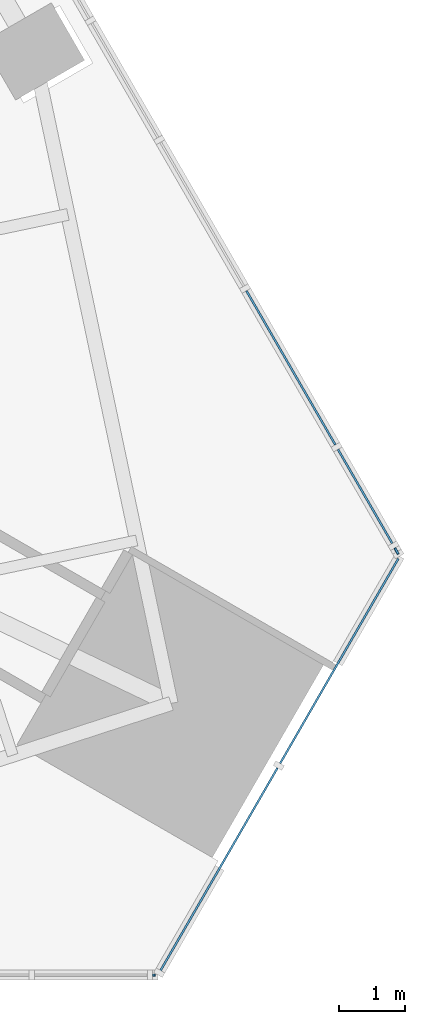
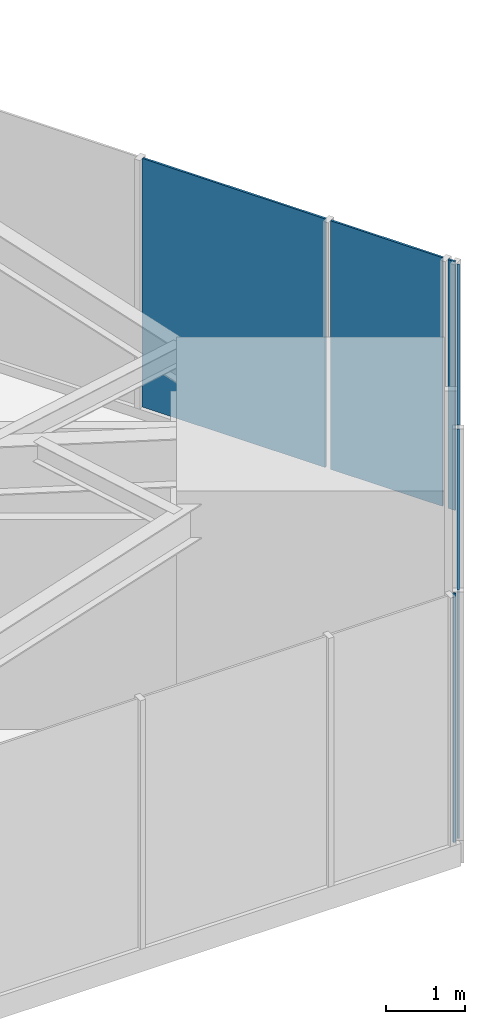
# One storey, part 13 of 26: 6 plates, 3 elements without a shape of their own.
"""IFC4 building model written with IfcOpenShell, lengths in metres."""

from ifc_helpers import new_model, si_unit, direction, frame, origin, place, context, subcontext, project, spatial, polyline, outline, extrude, material, layer, layer_set, type_object, element, aggregate, save


model = new_model("IFC4")

# Units and contexts
model_context = context("Model", 3, precision=1e-05, world=origin(), true_north=direction((0.0, 1.0)))
body_context = subcontext(model_context, "Body", "Model", "MODEL_VIEW")
ifc_project = project(units=[si_unit("LENGTHUNIT", "METRE"), si_unit("AREAUNIT", "SQUARE_METRE"), si_unit("VOLUMEUNIT", "CUBIC_METRE"), si_unit("PLANEANGLEUNIT", "RADIAN"), si_unit("MASSUNIT", "GRAM", prefix="KILO")], contexts=[model_context])

# Site, building, storey
site_placement = place(None, origin())
site = spatial("IfcSite", under=ifc_project, at=site_placement, CompositionType="ELEMENT")
building_placement = place(site_placement, origin())
building = spatial("IfcBuilding", under=site, at=building_placement, Name="Firuza Gate Tower and Library", CompositionType="ELEMENT")
storey_placement = place(building_placement, frame((0.0, 0.0, 115.60009765625)))
storey = spatial("IfcBuildingStorey", under=building, at=storey_placement, Name="L26", CompositionType="ELEMENT", Elevation=115.60009765625)

# Curtain wall, plates
ifc_material_1 = material(Name="Aluminium 6063-T6", Category="aluminium")
ifc_layer_1 = layer(ifc_material_1, 0.14990234375)
ifc_layer_set_1 = layer_set([ifc_layer_1], Name="Corner curtain wall, chamfers")
curtain_wall_type_1 = type_object("IfcCurtainWallType", Name="Corner curtain wall, chamfers", PredefinedType="NOTDEFINED", material=ifc_layer_set_1)
placement = place(storey_placement, origin())
curtain_wall_1 = element("IfcCurtainWall", 1, at=placement, inside=storey, type_object=curtain_wall_type_1, Name="CW4 L26 SE corner", PredefinedType="NOTDEFINED")
ifc_material_2 = material(Name="Fritted glass", Category="glass")
ifc_layer_2 = layer(ifc_material_2, 0.030029296875)
ifc_layer_set_2 = layer_set([ifc_layer_2], Name="Fritted glass unit, corners")
plate_type_1 = type_object("IfcPlateType", Name="Fritted glass unit, corners", PredefinedType="CURTAIN_PANEL", material=ifc_layer_set_2)
plate_1_placement = place(storey_placement, frame((102.991455078125, 54.678466796875, 0.14990234375), z_axis=(0.866016723041, -0.500015035186, 0.0), x_axis=(0.500015035186, 0.866016723041, 0.0)))
plate_1 = element("IfcPlate", 2, at=plate_1_placement, type_object=plate_type_1, Name="Glass unit", PredefinedType="CURTAIN_PANEL", context=body_context, shape_type="SweptSolid", body=[
    extrude(outline(polyline([(0.0, 0.0), (3.5633694106530625, 0.0), (3.5633694106530625, 3.85009765625), (0.0, 3.85009765625), (0.0, 0.0)])), origin(), (0.0, 0.0, -1.0), 0.030029296875),
])
plate_2_placement = place(storey_placement, frame((104.813232421875, 57.83349609375, 0.14990234375), z_axis=(0.866046390552, -0.49996364809, 0.0), x_axis=(0.49996364809, 0.866046390552, 0.0)))
plate_2 = element("IfcPlate", 3, at=plate_2_placement, type_object=plate_type_1, Name="Glass unit", PredefinedType="CURTAIN_PANEL", context=body_context, shape_type="SweptSolid", body=[
    extrude(outline(polyline([(0.0, 0.0), (3.563247342942594, 0.0), (3.563247342942594, 3.85009765625), (0.0, 3.85009765625), (0.0, 0.0)])), origin(), (0.0, 0.0, -1.0), 0.030029296875),
])
aggregate(curtain_wall_1, [plate_1, plate_2])

# Curtain wall, plate
ifc_material_3 = material(Name="Aluminium 6063-T6", Category="aluminium")
ifc_layer_3 = layer(ifc_material_3, 0.14990234375)
ifc_layer_set_3 = layer_set([ifc_layer_3], Name="Unitised curtain wall, offices")
curtain_wall_type_2 = type_object("IfcCurtainWallType", Name="Unitised curtain wall, offices", PredefinedType="NOTDEFINED", material=ifc_layer_set_3)
curtain_wall_2 = element("IfcCurtainWall", 4, at=placement, inside=storey, type_object=curtain_wall_type_2, Name="CW1 L26 E face", PredefinedType="NOTDEFINED")
ifc_material_4 = material(Name="Fritted glass", Category="glass")
ifc_layer_4 = layer(ifc_material_4, 0.030029296875)
ifc_layer_set_4 = layer_set([ifc_layer_4], Name="Fritted glass unit, offices")
plate_type_2 = type_object("IfcPlateType", Name="Fritted glass unit, offices", PredefinedType="CURTAIN_PANEL", material=ifc_layer_set_4)
plate_3_placement = place(storey_placement, frame((106.5029296875, 61.162841796875, 0.14990234375), z_axis=(0.865994286471, 0.500053892894, 0.0), x_axis=(-0.500053892894, 0.865994286471, 0.0)))
plate_3 = element("IfcPlate", 5, at=plate_3_placement, type_object=plate_type_2, Name="Glass unit", PredefinedType="CURTAIN_PANEL", context=body_context, shape_type="SweptSolid", body=[
    extrude(outline(polyline([(0.0, 0.0), (1.6365423539913728, 0.0), (1.6365423539913728, 3.85009765625), (0.0, 3.85009765625), (0.0, 0.0)])), origin(), (0.0, 0.0, -1.0), 0.030029296875),
])

curtain_wall_3 = element("IfcCurtainWall", 6, at=placement, inside=storey, type_object=curtain_wall_type_2, Name="CW1 L26 S face", PredefinedType="NOTDEFINED")
ifc_material_5 = material(Name="Glazed ceramic tile")
ifc_layer_5 = layer(ifc_material_5, 0.030029296875)
ifc_layer_set_5 = layer_set([ifc_layer_5], Name="Opaque ceramic panel, offices")
plate_type_3 = type_object("IfcPlateType", Name="Opaque ceramic panel, offices", PredefinedType="CURTAIN_PANEL", material=ifc_layer_set_5)
plate_4_placement = place(storey_placement, frame((102.8798828125, 54.63623046875, 0.14990234375), z_axis=(0.0, -1.0, 0.0), x_axis=(1.0, 0.0, 0.0)))
plate_4 = element("IfcPlate", 7, at=plate_4_placement, type_object=plate_type_3, Name="Opaque ceramic panel", PredefinedType="CURTAIN_PANEL", context=body_context, shape_type="SweptSolid", body=[
    extrude(outline(polyline([(0.0, 0.0), (0.03857421875, 0.0), (0.03857421875, 3.85009765625), (0.0, 3.85009765625), (0.0, 0.0)])), origin(), (0.0, 0.0, -1.0), 0.030029296875),
])
aggregate(curtain_wall_3, [plate_4])

# Plate
plate_5_placement = place(storey_placement, frame((106.5947265625, 61.003662109375, 0.14990234375), z_axis=(0.866499015963, 0.499178780935, 0.0), x_axis=(-0.499178780935, 0.866499015963, 0.0)))
plate_5 = element("IfcPlate", 8, at=plate_5_placement, type_object=plate_type_3, Name="Opaque ceramic panel", PredefinedType="CURTAIN_PANEL", context=body_context, shape_type="SweptSolid", body=[
    extrude(outline(polyline([(0.0, 0.0), (0.10368592271300699, 0.0), (0.10368592271300699, 3.85009765625), (0.0, 3.85009765625), (0.0, 0.0)])), origin(), (0.0, 0.0, -1.0), 0.030029296875),
])

plate_6_placement = place(storey_placement, frame((105.644775390625, 62.6494140625, 0.14990234375), z_axis=(0.866014132353, 0.500019522183, 0.0), x_axis=(-0.500019522183, 0.866014132353, 0.0)))
plate_6 = element("IfcPlate", 9, at=plate_6_placement, type_object=plate_type_3, Name="Opaque ceramic panel", PredefinedType="CURTAIN_PANEL", context=body_context, shape_type="SweptSolid", body=[
    extrude(outline(polyline([(0.0, 0.0), (2.6795828773827552, 0.0), (2.6795828773827552, 3.85009765625), (0.0, 3.85009765625), (0.0, 0.0)])), origin(), (0.0, 0.0, -1.0), 0.030029296875),
])

aggregate(curtain_wall_2, [plate_5, plate_3, plate_6])

save(model, "model.ifc")
